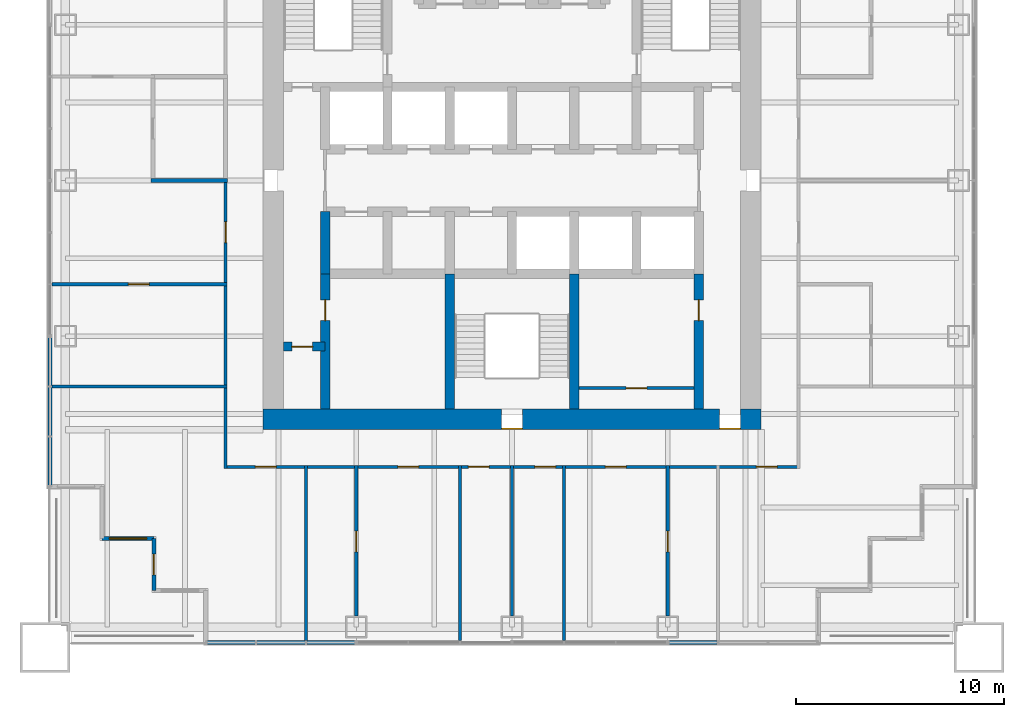
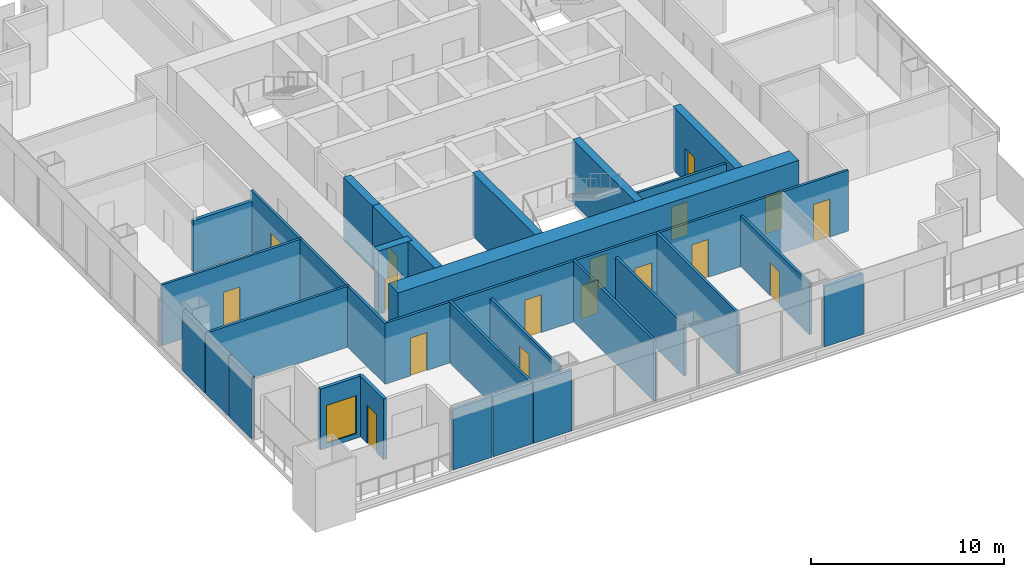
# One storey, part 8 of 13: 28 walls, 17 doors, 1 window, 18 openings.
"""IFC4 building model written with IfcOpenShell, lengths in metres."""

from ifc_helpers import new_model, si_unit, direction, frame, frame_2d, origin, place, context, subcontext, project, spatial, rectangle, extrude, material, layer, layer_set, type_object, element, fill, save


model = new_model("IFC4")

# Units and contexts
model_context = context("Model", 3, precision=1e-05, world=origin(), true_north=direction((0.0, 1.0)))
body_context = subcontext(model_context, "Body", "Model", "MODEL_VIEW")
ifc_project = project(units=[si_unit("LENGTHUNIT", "METRE"), si_unit("AREAUNIT", "SQUARE_METRE"), si_unit("VOLUMEUNIT", "CUBIC_METRE"), si_unit("PLANEANGLEUNIT", "RADIAN"), si_unit("MASSUNIT", "GRAM", prefix="KILO")], contexts=[model_context])

# Site, building, storey
site_placement = place(None, origin())
site = spatial("IfcSite", under=ifc_project, at=site_placement, CompositionType="ELEMENT")
building_placement = place(site_placement, origin())
building = spatial("IfcBuilding", under=site, at=building_placement, Name="Tarangal Relay Tower", CompositionType="ELEMENT")
storey_placement = place(building_placement, frame((0.0, 0.0, 185.89990234375)))
storey = spatial("IfcBuildingStorey", under=building, at=storey_placement, Name="L38", CompositionType="ELEMENT", Elevation=185.89990234375)

# Wall
ifc_material_1 = material(Name="Two layers gypsum board each side on twin steel studs, mineral wool", Category="steel")
ifc_layer_1 = layer(ifc_material_1, 0.199951171875)
ifc_layer_set_1 = layer_set([ifc_layer_1], Name="Acoustic partition 200")
wall_type_1 = type_object("IfcWallType", Name="Acoustic partition 200", PredefinedType="PARTITIONING", material=ifc_layer_set_1)
wall_1_placement = place(storey_placement, frame((-17.39990234375, 0.0, 0.0), z_axis=(0.0, 0.0, 1.0), x_axis=(1.0, 0.0, 0.0)))
element("IfcWall", 1, at=wall_1_placement, inside=storey, type_object=wall_type_1, Name="Partition PT2 L38", PredefinedType="PARTITIONING", context=body_context, shape_type="SweptSolid", body=[
    extrude(rectangle(XDim=3.699951171875, YDim=0.199951171875, at=frame_2d((1.85009765625, 0.0))), origin(), (0.0, 0.0, 1.0), 3.238037109375),
])

# Wall, opening, door
ifc_material_2 = material(Name="Concrete fc' 60 MPa", Category="concrete")
ifc_layer_2 = layer(ifc_material_2, 0.449951171875)
ifc_layer_set_2 = layer_set([ifc_layer_2], Name="Core inner wall 450")
wall_type_2 = type_object("IfcWallType", Name="Core inner wall 450", PredefinedType="SHEAR", material=ifc_layer_set_2)
wall_2_placement = place(storey_placement, frame((-11.0, -8.0, 0.0), z_axis=(0.0, 0.0, 1.0), x_axis=(1.0, 0.0, 0.0)))
wall_2 = element("IfcWall", 2, at=wall_2_placement, inside=storey, type_object=wall_type_2, Name="Core wall YM8 L38", PredefinedType="SHEAR", context=body_context, shape_type="SweptSolid", body=[
    extrude(rectangle(XDim=2.0, YDim=0.449951171875, at=frame_2d((1.0, 0.0))), origin(), (0.0, 0.0, 1.0), 4.0),
])
opening_1_placement = place(wall_2_placement, frame((0.39990234375, 0.0, 0.0)))
opening_1 = element("IfcOpeningElement", 3, at=opening_1_placement, cuts=wall_2, Name="Opening D1", PredefinedType="OPENING", context=body_context, shape_type="SweptSolid", body=[
    extrude(rectangle(XDim=1.0, YDim=2.10009765625, at=frame_2d((0.5, 1.050048828125))), frame((0.0, 0.23486328125, 0.0), z_axis=(0.0, -1.0, 0.0), x_axis=(1.0, 0.0, 0.0)), (0.0, 0.0, 1.0), 0.469970703125),
])
ifc_material_3 = material(Name="Hardwood door", Category="wood")
door_type_1 = type_object("IfcDoorType", Name="WC door 1000 x 2100", OperationType="SINGLE_SWING_LEFT", PredefinedType="DOOR", material=ifc_material_3)
door_1_placement = place(opening_1_placement, origin())
door_1 = element("IfcDoor", 4, at=door_1_placement, inside=storey, type_object=door_type_1, Name="Accessible WC door L38", OperationType="SINGLE_SWING_LEFT", OverallHeight=2.10009765625, OverallWidth=1.0, PredefinedType="DOOR", context=body_context, shape_type="SweptSolid", body=[
    extrude(rectangle(XDim=1.0, YDim=2.10009765625, at=frame_2d((0.5, 1.050048828125))), frame((0.0, 0.02490234375, 0.0), z_axis=(0.0, -1.0, 0.0), x_axis=(1.0, 0.0, 0.0)), (0.0, 0.0, 1.0), 0.050048828125),
])
fill(opening_1, door_1)

# Wall
wall_3_placement = place(storey_placement, frame((-9.0, -4.5, 0.0), z_axis=(0.0, 0.0, 1.0), x_axis=(0.0, 1.0, 0.0)))
element("IfcWall", 5, at=wall_3_placement, inside=storey, type_object=wall_type_2, Name="Core wall XM9S L38", PredefinedType="SHEAR", context=body_context, shape_type="SweptSolid", body=[
    extrude(rectangle(XDim=3.0, YDim=0.449951171875, at=frame_2d((1.5, 0.0))), origin(), (0.0, 0.0, 1.0), 4.0),
])

# Wall, opening, door
wall_4_placement = place(storey_placement, frame((-9.0, -11.0, 0.0), z_axis=(0.0, 0.0, 1.0), x_axis=(0.0, 1.0, 0.0)))
wall_4 = element("IfcWall", 6, at=wall_4_placement, inside=storey, type_object=wall_type_2, Name="Core wall XM9W L38", PredefinedType="SHEAR", context=body_context, shape_type="SweptSolid", body=[
    extrude(rectangle(XDim=6.5, YDim=0.449951171875, at=frame_2d((3.25, 0.0))), origin(), (0.0, 0.0, 1.0), 4.0),
])
opening_2_placement = place(wall_4_placement, frame((4.25, 0.0, 0.0)))
opening_2 = element("IfcOpeningElement", 7, at=opening_2_placement, cuts=wall_4, Name="Opening D1", PredefinedType="OPENING", context=body_context, shape_type="SweptSolid", body=[
    extrude(rectangle(XDim=1.0, YDim=2.10009765625, at=frame_2d((0.5, 1.050048828125))), frame((0.0, 0.23486328125, 0.0), z_axis=(0.0, -1.0, 0.0), x_axis=(1.0, 0.0, 0.0)), (0.0, 0.0, 1.0), 0.469970703125),
])
door_2_placement = place(opening_2_placement, origin())
door_2 = element("IfcDoor", 8, at=door_2_placement, inside=storey, type_object=door_type_1, Name="Male WC door L38", OperationType="SINGLE_SWING_LEFT", OverallHeight=2.10009765625, OverallWidth=1.0, PredefinedType="DOOR", context=body_context, shape_type="SweptSolid", body=[
    extrude(rectangle(XDim=1.0, YDim=2.10009765625, at=frame_2d((0.5, 1.050048828125))), frame((0.0, 0.02490234375, 0.0), z_axis=(0.0, -1.0, 0.0), x_axis=(1.0, 0.0, 0.0)), (0.0, 0.0, 1.0), 0.050048828125),
])
fill(opening_2, door_2)

wall_5_placement = place(storey_placement, frame((9.0, -11.0, 0.0), z_axis=(0.0, 0.0, 1.0), x_axis=(0.0, 1.0, 0.0)))
wall_5 = element("IfcWall", 9, at=wall_5_placement, inside=storey, type_object=wall_type_2, Name="Core wall X9W L38", PredefinedType="SHEAR", context=body_context, shape_type="SweptSolid", body=[
    extrude(rectangle(XDim=6.5, YDim=0.449951171875, at=frame_2d((3.25, 0.0))), origin(), (0.0, 0.0, 1.0), 4.0),
])
opening_3_placement = place(wall_5_placement, frame((4.25, 0.0, 0.0)))
opening_3 = element("IfcOpeningElement", 10, at=opening_3_placement, cuts=wall_5, Name="Opening D1", PredefinedType="OPENING", context=body_context, shape_type="SweptSolid", body=[
    extrude(rectangle(XDim=1.0, YDim=2.10009765625, at=frame_2d((0.5, 1.050048828125))), frame((0.0, 0.23486328125, 0.0), z_axis=(0.0, -1.0, 0.0), x_axis=(1.0, 0.0, 0.0)), (0.0, 0.0, 1.0), 0.469970703125),
])
door_3_placement = place(opening_3_placement, origin())
door_3 = element("IfcDoor", 11, at=door_3_placement, inside=storey, type_object=door_type_1, Name="Female WC door L38", OperationType="SINGLE_SWING_LEFT", OverallHeight=2.10009765625, OverallWidth=1.0, PredefinedType="DOOR", context=body_context, shape_type="SweptSolid", body=[
    extrude(rectangle(XDim=1.0, YDim=2.10009765625, at=frame_2d((0.5, 1.050048828125))), frame((0.0, 0.02490234375, 0.0), z_axis=(0.0, -1.0, 0.0), x_axis=(1.0, 0.0, 0.0)), (0.0, 0.0, 1.0), 0.050048828125),
])
fill(opening_3, door_3)

# Walls
for number, where, z_axis, x_axis, name in (
    (12, (-3.0, -11.0, 0.0), (0.0, 0.0, 1.0), (0.0, 1.0, 0.0), "Core wall XM3W L38"),
    (13, (3.0, -11.0, 0.0), (0.0, 0.0, 1.0), (0.0, 1.0, 0.0), "Core wall X3W L38"),
):
    element("IfcWall", number, at=place(storey_placement, frame(where, z_axis=z_axis, x_axis=x_axis)), inside=storey, type_object=wall_type_2, Name=name, PredefinedType="SHEAR", context=body_context, shape_type="SweptSolid", body=[
        extrude(rectangle(XDim=6.5, YDim=0.449951171875, at=frame_2d((3.25, 0.0))), origin(), (0.0, 0.0, 1.0), 4.0),
    ])

# Wall, openings, doors
ifc_layer_3 = layer(ifc_material_2, 1.0)
ifc_layer_set_3 = layer_set([ifc_layer_3], Name="Core wall 1000")
wall_type_3 = type_object("IfcWallType", Name="Core wall 1000", PredefinedType="SHEAR", material=ifc_layer_set_3)
wall_6_placement = place(storey_placement, frame((12.0, -11.5, 0.0), z_axis=(0.0, 0.0, 1.0), x_axis=(-1.0, 0.0, 0.0)))
wall_6 = element("IfcWall", 14, at=wall_6_placement, inside=storey, type_object=wall_type_3, Name="Core wall S L38", PredefinedType="SHEAR", context=body_context, shape_type="SweptSolid", body=[
    extrude(rectangle(XDim=24.0, YDim=1.0, at=frame_2d((12.0, 0.0))), origin(), (0.0, 0.0, 1.0), 4.0),
])
opening_4_placement = place(wall_6_placement, frame((11.5, 0.0, 0.0)))
opening_4 = element("IfcOpeningElement", 15, at=opening_4_placement, cuts=wall_6, Name="Opening FD1", PredefinedType="OPENING", context=body_context, shape_type="SweptSolid", body=[
    extrude(rectangle(XDim=1.0, YDim=2.10009765625, at=frame_2d((0.5, 1.050048828125))), frame((0.0, 0.510009765625, 0.0), z_axis=(0.0, -1.0, 0.0), x_axis=(1.0, 0.0, 0.0)), (0.0, 0.0, 1.0), 1.02001953125),
])
opening_5_placement = place(wall_6_placement, frame((1.0, 0.0, 0.0)))
opening_5 = element("IfcOpeningElement", 16, at=opening_5_placement, cuts=wall_6, Name="Opening FD3", PredefinedType="OPENING", context=body_context, shape_type="SweptSolid", body=[
    extrude(rectangle(XDim=1.0, YDim=2.39990234375, at=frame_2d((0.5, 1.199951171875))), frame((0.0, 0.510009765625, 0.0), z_axis=(0.0, -1.0, 0.0), x_axis=(1.0, 0.0, 0.0)), (0.0, 0.0, 1.0), 1.02001953125),
])
ifc_material_4 = material(Name="Steel door with hardwood frame", Category="steel")
door_type_2 = type_object("IfcDoorType", Name="Fire door 1000 x 2100", OperationType="SINGLE_SWING_LEFT", PredefinedType="DOOR", material=ifc_material_4)
door_4_placement = place(opening_4_placement, origin())
door_4 = element("IfcDoor", 17, at=door_4_placement, inside=storey, type_object=door_type_2, Name="Stair ST-C door L38", OperationType="SINGLE_SWING_LEFT", OverallHeight=2.10009765625, OverallWidth=1.0, PredefinedType="DOOR", context=body_context, shape_type="SweptSolid", body=[
    extrude(rectangle(XDim=1.0, YDim=2.10009765625, at=frame_2d((0.5, 1.050048828125))), frame((0.0, 0.48486328125, 0.0), z_axis=(0.0, -1.0, 0.0), x_axis=(1.0, 0.0, 0.0)), (0.0, 0.0, 1.0), 0.050048828125),
])
fill(opening_4, door_4)
door_type_3 = type_object("IfcDoorType", Name="Fire door 1000 x 2400 core entry", OperationType="SINGLE_SWING_RIGHT", PredefinedType="DOOR", material=ifc_material_4)
door_5_placement = place(opening_5_placement, origin())
door_5 = element("IfcDoor", 18, at=door_5_placement, inside=storey, type_object=door_type_3, Name="Core entry door south east L38", OperationType="SINGLE_SWING_RIGHT", OverallHeight=2.39990234375, OverallWidth=1.0, PredefinedType="DOOR", context=body_context, shape_type="SweptSolid", body=[
    extrude(rectangle(XDim=1.0, YDim=2.39990234375, at=frame_2d((0.5, 1.199951171875))), frame((0.0, 0.48486328125, 0.0), z_axis=(0.0, -1.0, 0.0), x_axis=(1.0, 0.0, 0.0)), (0.0, 0.0, 1.0), 0.050048828125),
])
fill(opening_5, door_5)

# Wall, opening, door
ifc_material_5 = material(Name="Black metal clad insulated wall", Category="steel")
ifc_layer_4 = layer(ifc_material_5, 0.199951171875)
ifc_layer_set_4 = layer_set([ifc_layer_4], Name="Corner wall metal clad 200")
wall_type_4 = type_object("IfcWallType", Name="Corner wall metal clad 200", PredefinedType="SOLIDWALL", material=ifc_layer_set_4)
wall_7_placement = place(storey_placement, frame((-17.25, -19.75, 0.0), z_axis=(0.0, 0.0, 1.0), x_axis=(0.0, 1.0, 0.0)))
wall_7 = element("IfcWall", 19, at=wall_7_placement, inside=storey, type_object=wall_type_4, Name="Facade wall S facade L38", PredefinedType="SOLIDWALL", context=body_context, shape_type="SweptSolid", body=[
    extrude(rectangle(XDim=2.5, YDim=0.199951171875, at=frame_2d((1.25, 0.0))), origin(), (0.0, 0.0, 1.0), 3.85009765625),
])
opening_6_placement = place(wall_7_placement, frame((0.75, 0.0, 0.0)))
opening_6 = element("IfcOpeningElement", 20, at=opening_6_placement, cuts=wall_7, Name="Opening TD1", PredefinedType="OPENING", context=body_context, shape_type="SweptSolid", body=[
    extrude(rectangle(XDim=1.0, YDim=2.39990234375, at=frame_2d((0.5, 1.199951171875))), frame((0.0, 0.10986328125, 0.0), z_axis=(0.0, -1.0, 0.0), x_axis=(1.0, 0.0, 0.0)), (0.0, 0.0, 1.0), 0.219970703125),
])
ifc_material_6 = material(Name="Aluminium glazed door", Category="aluminium")
door_type_4 = type_object("IfcDoorType", Name="Terrace door 1000 x 2400", OperationType="SINGLE_SWING_RIGHT", PredefinedType="DOOR", material=ifc_material_6)
door_6_placement = place(opening_6_placement, origin())
door_6 = element("IfcDoor", 21, at=door_6_placement, inside=storey, type_object=door_type_4, Name="Terrace door TD1 SW L38", OperationType="SINGLE_SWING_RIGHT", OverallHeight=2.39990234375, OverallWidth=1.0, PredefinedType="DOOR", context=body_context, shape_type="SweptSolid", body=[
    extrude(rectangle(XDim=1.0, YDim=2.39990234375, at=frame_2d((0.5, 1.199951171875))), frame((0.0, 0.02490234375, 0.0), z_axis=(0.0, -1.0, 0.0), x_axis=(1.0, 0.0, 0.0)), (0.0, 0.0, 1.0), 0.050048828125),
])
fill(opening_6, door_6)

# Wall, opening, window
wall_8_placement = place(storey_placement, frame((-17.25, -17.25, 0.0), z_axis=(0.0, 0.0, 1.0), x_axis=(-1.0, 0.0, 0.0)))
wall_8 = element("IfcWall", 22, at=wall_8_placement, inside=storey, type_object=wall_type_4, Name="Facade wall S facade L38", PredefinedType="SOLIDWALL", context=body_context, shape_type="SweptSolid", body=[
    extrude(rectangle(XDim=2.5, YDim=0.199951171875, at=frame_2d((1.25, 0.0))), origin(), (0.0, 0.0, 1.0), 3.85009765625),
])
opening_7_placement = place(wall_8_placement, frame((0.35009765625, 0.0, 0.300048828125)))
opening_7 = element("IfcOpeningElement", 23, at=opening_7_placement, cuts=wall_8, Name="Opening WN2", PredefinedType="OPENING", context=body_context, shape_type="SweptSolid", body=[
    extrude(rectangle(XDim=1.800048828125, YDim=2.39990234375, at=frame_2d((0.89990234375, 1.199951171875))), frame((0.0, 0.10986328125, 0.0), z_axis=(0.0, -1.0, 0.0), x_axis=(1.0, 0.0, 0.0)), (0.0, 0.0, 1.0), 0.219970703125),
])
ifc_material_7 = material(Name="Dark tinted double glazing in black aluminium frame", Category="aluminium")
window_type = type_object("IfcWindowType", Name="Corner window 1800 x 2400", PartitioningType="SINGLE_PANEL", PredefinedType="WINDOW", material=ifc_material_7)
window_placement = place(opening_7_placement, origin())
window = element("IfcWindow", 24, at=window_placement, inside=storey, type_object=window_type, Name="Corner window WN2 S facade L38", OverallHeight=2.39990234375, OverallWidth=1.800048828125, PartitioningType="SINGLE_PANEL", PredefinedType="WINDOW", context=body_context, shape_type="SweptSolid", body=[
    extrude(rectangle(XDim=1.800048828125, YDim=2.39990234375, at=frame_2d((0.89990234375, 1.199951171875))), frame((0.0, 0.030029296875, 0.0), z_axis=(0.0, -1.0, 0.0), x_axis=(1.0, 0.0, 0.0)), (0.0, 0.0, 1.0), 0.06005859375),
])
fill(opening_7, window)

# Walls
ifc_layer_5 = layer(ifc_material_5, 0.199951171875)
ifc_layer_set_5 = layer_set([ifc_layer_5], Name="Facade infill wall metal clad 200")
wall_type_5 = type_object("IfcWallType", Name="Facade infill wall metal clad 200", PredefinedType="SOLIDWALL", material=ifc_layer_set_5)
for number, where, z_axis, x_axis, name in (
    (25, (9.88427734375, -22.25, 0.0), (0.0, 0.0, 1.0), (-1.0, 0.0, 0.0), "Facade infill wall S facade L38 3.1"),
    (26, (-7.56494140625, -22.25, 0.0), (0.0, 0.0, 1.0), (-1.0, 0.0, 0.0), "Facade infill wall S facade L38 1.1"),
):
    element("IfcWall", number, at=place(storey_placement, frame(where, z_axis=z_axis, x_axis=x_axis)), inside=storey, type_object=wall_type_5, Name=name, PredefinedType="SOLIDWALL", context=body_context, shape_type="SweptSolid", body=[
        extrude(rectangle(XDim=2.3193359375, YDim=0.199951171875, at=frame_2d((1.15966796875, 0.0))), origin(), (0.0, 0.0, 1.0), 3.85009765625),
    ])
wall_9_placement = place(storey_placement, frame((-9.94921875, -22.25, 0.0), z_axis=(0.0, 0.0, 1.0), x_axis=(-1.0, 0.0, 0.0)))
element("IfcWall", 27, at=wall_9_placement, inside=storey, type_object=wall_type_5, Name="Facade infill wall S facade L38 2.1", PredefinedType="SOLIDWALL", context=body_context, shape_type="SweptSolid", body=[
    extrude(rectangle(XDim=2.3515625, YDim=0.199951171875, at=frame_2d((1.17578125, 0.0))), origin(), (0.0, 0.0, 1.0), 3.85009765625),
])
for number, where, z_axis, x_axis, name in (
    (28, (-12.36572265625, -22.25, 0.0), (0.0, 0.0, 1.0), (-1.0, 0.0, 0.0), "Facade infill wall S facade L38 3.1"),
    (29, (-22.25, -14.68505859375, 0.0), (0.0, 0.0, 1.0), (0.0, 1.0, 0.0), "Facade infill wall W facade L38 1.1"),
):
    element("IfcWall", number, at=place(storey_placement, frame(where, z_axis=z_axis, x_axis=x_axis)), inside=storey, type_object=wall_type_5, Name=name, PredefinedType="SOLIDWALL", context=body_context, shape_type="SweptSolid", body=[
        extrude(rectangle(XDim=2.3193359375, YDim=0.199951171875, at=frame_2d((1.15966796875, 0.0))), origin(), (0.0, 0.0, 1.0), 3.85009765625),
    ])
wall_10_placement = place(storey_placement, frame((-22.25, -12.30078125, 0.0), z_axis=(0.0, 0.0, 1.0), x_axis=(0.0, 1.0, 0.0)))
element("IfcWall", 30, at=wall_10_placement, inside=storey, type_object=wall_type_5, Name="Facade infill wall W facade L38 2.1", PredefinedType="SOLIDWALL", context=body_context, shape_type="SweptSolid", body=[
    extrude(rectangle(XDim=2.3515625, YDim=0.199951171875, at=frame_2d((1.17578125, 0.0))), origin(), (0.0, 0.0, 1.0), 3.85009765625),
])
wall_11_placement = place(storey_placement, frame((-22.25, -9.88427734375, 0.0), z_axis=(0.0, 0.0, 1.0), x_axis=(0.0, 1.0, 0.0)))
element("IfcWall", 31, at=wall_11_placement, inside=storey, type_object=wall_type_5, Name="Facade infill wall W facade L38 3.1", PredefinedType="SOLIDWALL", context=body_context, shape_type="SweptSolid", body=[
    extrude(rectangle(XDim=2.3193359375, YDim=0.199951171875, at=frame_2d((1.15966796875, 0.0))), origin(), (0.0, 0.0, 1.0), 3.85009765625),
])

# Wall, openings, doors
ifc_material_8 = material(Name="Gypsum board on steel studs", Category="steel")
ifc_layer_6 = layer(ifc_material_8, 0.14990234375)
ifc_layer_set_6 = layer_set([ifc_layer_6], Name="Partition 150")
wall_type_6 = type_object("IfcWallType", Name="Partition 150", PredefinedType="PARTITIONING", material=ifc_layer_set_6)
wall_12_placement = place(storey_placement, frame((-13.875, -13.800048828125, 0.0), z_axis=(0.0, 0.0, 1.0), x_axis=(1.0, 0.0, 0.0)))
wall_12 = element("IfcWall", 32, at=wall_12_placement, inside=storey, type_object=wall_type_6, Name="Partition PT1 L38", PredefinedType="PARTITIONING", context=body_context, shape_type="SweptSolid", body=[
    extrude(rectangle(XDim=27.75, YDim=0.14990234375, at=frame_2d((13.875, 0.0))), origin(), (0.0, 0.0, 1.0), 3.85009765625),
])
opening_8_placement = place(wall_12_placement, frame((18.375, 0.0, 0.0)))
opening_8 = element("IfcOpeningElement", 33, at=opening_8_placement, cuts=wall_12, Name="Opening SD1", PredefinedType="OPENING", context=body_context, shape_type="SweptSolid", body=[
    extrude(rectangle(XDim=1.0, YDim=2.39990234375, at=frame_2d((0.5, 1.199951171875))), frame((0.0, 0.0849609375, 0.0), z_axis=(0.0, -1.0, 0.0), x_axis=(1.0, 0.0, 0.0)), (0.0, 0.0, 1.0), 0.169921875),
])
opening_9_placement = place(wall_12_placement, frame((14.97509765625, 0.0, 0.0)))
opening_9 = element("IfcOpeningElement", 34, at=opening_9_placement, cuts=wall_12, Name="Opening D2", PredefinedType="OPENING", context=body_context, shape_type="SweptSolid", body=[
    extrude(rectangle(XDim=1.0, YDim=2.10009765625, at=frame_2d((0.5, 1.050048828125))), frame((0.0, 0.0849609375, 0.0), z_axis=(0.0, -1.0, 0.0), x_axis=(1.0, 0.0, 0.0)), (0.0, 0.0, 1.0), 0.169921875),
])
opening_10_placement = place(wall_12_placement, frame((11.77490234375, 0.0, 0.0)))
opening_10 = element("IfcOpeningElement", 35, at=opening_10_placement, cuts=wall_12, Name="Opening D2", PredefinedType="OPENING", context=body_context, shape_type="SweptSolid", body=[
    extrude(rectangle(XDim=1.0, YDim=2.10009765625, at=frame_2d((0.5, 1.050048828125))), frame((0.0, 0.0849609375, 0.0), z_axis=(0.0, -1.0, 0.0), x_axis=(1.0, 0.0, 0.0)), (0.0, 0.0, 1.0), 0.169921875),
])
opening_11_placement = place(wall_12_placement, frame((8.375, 0.0, 0.0)))
opening_11 = element("IfcOpeningElement", 36, at=opening_11_placement, cuts=wall_12, Name="Opening SD1", PredefinedType="OPENING", context=body_context, shape_type="SweptSolid", body=[
    extrude(rectangle(XDim=1.0, YDim=2.39990234375, at=frame_2d((0.5, 1.199951171875))), frame((0.0, 0.0849609375, 0.0), z_axis=(0.0, -1.0, 0.0), x_axis=(1.0, 0.0, 0.0)), (0.0, 0.0, 1.0), 0.169921875),
])
opening_12_placement = place(wall_12_placement, frame((25.650146484375, 0.0, 0.0)))
opening_12 = element("IfcOpeningElement", 37, at=opening_12_placement, cuts=wall_12, Name="Opening SD1", PredefinedType="OPENING", context=body_context, shape_type="SweptSolid", body=[
    extrude(rectangle(XDim=1.0, YDim=2.39990234375, at=frame_2d((0.5, 1.199951171875))), frame((0.0, 0.0849609375, 0.0), z_axis=(0.0, -1.0, 0.0), x_axis=(1.0, 0.0, 0.0)), (0.0, 0.0, 1.0), 0.169921875),
])
opening_13_placement = place(wall_12_placement, frame((1.5166015625, 0.0, 0.0)))
opening_13 = element("IfcOpeningElement", 38, at=opening_13_placement, cuts=wall_12, Name="Opening SD1", PredefinedType="OPENING", context=body_context, shape_type="SweptSolid", body=[
    extrude(rectangle(XDim=1.0, YDim=2.39990234375, at=frame_2d((0.5, 1.199951171875))), frame((0.0, 0.0849609375, 0.0), z_axis=(0.0, -1.0, 0.0), x_axis=(1.0, 0.0, 0.0)), (0.0, 0.0, 1.0), 0.169921875),
])
door_type_5 = type_object("IfcDoorType", Name="Door 1000 x 2100", OperationType="SINGLE_SWING_LEFT", PredefinedType="DOOR", material=ifc_material_3)
door_7_placement = place(opening_9_placement, origin())
door_7 = element("IfcDoor", 39, at=door_7_placement, inside=storey, type_object=door_type_5, Name="Door D2 to tea pantry L38-14", OperationType="SINGLE_SWING_LEFT", OverallHeight=2.10009765625, OverallWidth=1.0, PredefinedType="DOOR", context=body_context, shape_type="SweptSolid", body=[
    extrude(rectangle(XDim=1.0, YDim=2.10009765625, at=frame_2d((0.5, 1.050048828125))), frame((0.0, 0.02490234375, 0.0), z_axis=(0.0, -1.0, 0.0), x_axis=(1.0, 0.0, 0.0)), (0.0, 0.0, 1.0), 0.050048828125),
])
fill(opening_9, door_7)
door_8_placement = place(opening_10_placement, origin())
door_8 = element("IfcDoor", 40, at=door_8_placement, inside=storey, type_object=door_type_5, Name="Door D2 to print room L38-15", OperationType="SINGLE_SWING_LEFT", OverallHeight=2.10009765625, OverallWidth=1.0, PredefinedType="DOOR", context=body_context, shape_type="SweptSolid", body=[
    extrude(rectangle(XDim=1.0, YDim=2.10009765625, at=frame_2d((0.5, 1.050048828125))), frame((0.0, 0.02490234375, 0.0), z_axis=(0.0, -1.0, 0.0), x_axis=(1.0, 0.0, 0.0)), (0.0, 0.0, 1.0), 0.050048828125),
])
fill(opening_10, door_8)
door_type_6 = type_object("IfcDoorType", Name="Suite entrance door 1000 x 2400", OperationType="SINGLE_SWING_RIGHT", PredefinedType="DOOR", material=ifc_material_4)
door_9_placement = place(opening_8_placement, origin())
door_9 = element("IfcDoor", 41, at=door_9_placement, inside=storey, type_object=door_type_6, Name="Door SD1 to open plan office L38-13", OperationType="SINGLE_SWING_RIGHT", OverallHeight=2.39990234375, OverallWidth=1.0, PredefinedType="DOOR", context=body_context, shape_type="SweptSolid", body=[
    extrude(rectangle(XDim=1.0, YDim=2.39990234375, at=frame_2d((0.5, 1.199951171875))), frame((0.0, 0.02490234375, 0.0), z_axis=(0.0, -1.0, 0.0), x_axis=(1.0, 0.0, 0.0)), (0.0, 0.0, 1.0), 0.050048828125),
])
fill(opening_8, door_9)
door_10_placement = place(opening_11_placement, origin())
door_10 = element("IfcDoor", 42, at=door_10_placement, inside=storey, type_object=door_type_6, Name="Door SD1 to open plan office L38-16", OperationType="SINGLE_SWING_RIGHT", OverallHeight=2.39990234375, OverallWidth=1.0, PredefinedType="DOOR", context=body_context, shape_type="SweptSolid", body=[
    extrude(rectangle(XDim=1.0, YDim=2.39990234375, at=frame_2d((0.5, 1.199951171875))), frame((0.0, 0.02490234375, 0.0), z_axis=(0.0, -1.0, 0.0), x_axis=(1.0, 0.0, 0.0)), (0.0, 0.0, 1.0), 0.050048828125),
])
fill(opening_11, door_10)
door_11_placement = place(opening_12_placement, origin())
door_11 = element("IfcDoor", 43, at=door_11_placement, inside=storey, type_object=door_type_6, Name="Door SD1 to open plan office L38-23", OperationType="SINGLE_SWING_RIGHT", OverallHeight=2.39990234375, OverallWidth=1.0, PredefinedType="DOOR", context=body_context, shape_type="SweptSolid", body=[
    extrude(rectangle(XDim=1.0, YDim=2.39990234375, at=frame_2d((0.5, 1.199951171875))), frame((0.0, 0.02490234375, 0.0), z_axis=(0.0, -1.0, 0.0), x_axis=(1.0, 0.0, 0.0)), (0.0, 0.0, 1.0), 0.050048828125),
])
fill(opening_12, door_11)
door_12_placement = place(opening_13_placement, origin())
door_12 = element("IfcDoor", 44, at=door_12_placement, inside=storey, type_object=door_type_6, Name="Door SD1 to open plan office L38-24", OperationType="SINGLE_SWING_RIGHT", OverallHeight=2.39990234375, OverallWidth=1.0, PredefinedType="DOOR", context=body_context, shape_type="SweptSolid", body=[
    extrude(rectangle(XDim=1.0, YDim=2.39990234375, at=frame_2d((0.5, 1.199951171875))), frame((0.0, 0.02490234375, 0.0), z_axis=(0.0, -1.0, 0.0), x_axis=(1.0, 0.0, 0.0)), (0.0, 0.0, 1.0), 0.050048828125),
])
fill(opening_13, door_12)

# Wall
wall_13_placement = place(storey_placement, frame((-22.14990234375, -9.9169921875, 0.0), z_axis=(0.0, 0.0, 1.0), x_axis=(1.0, 0.0, 0.0)))
element("IfcWall", 45, at=wall_13_placement, inside=storey, type_object=wall_type_6, Name="Partition PT1 L38", PredefinedType="PARTITIONING", context=body_context, shape_type="SweptSolid", body=[
    extrude(rectangle(XDim=8.4248046875, YDim=0.14990234375, at=frame_2d((4.21240234375, 0.0))), origin(), (0.0, 0.0, 1.0), 3.85009765625),
])

# Wall, opening, door
wall_14_placement = place(storey_placement, frame((-22.14990234375, -5.0, 0.0), z_axis=(0.0, 0.0, 1.0), x_axis=(1.0, 0.0, 0.0)))
wall_14 = element("IfcWall", 46, at=wall_14_placement, inside=storey, type_object=wall_type_6, Name="Partition PT1 L38", PredefinedType="PARTITIONING", context=body_context, shape_type="SweptSolid", body=[
    extrude(rectangle(XDim=8.4248046875, YDim=0.14990234375, at=frame_2d((4.21240234375, 0.0))), origin(), (0.0, 0.0, 1.0), 3.85009765625),
])
opening_14_placement = place(wall_14_placement, frame((3.675048828125, 0.0, 0.0)))
opening_14 = element("IfcOpeningElement", 47, at=opening_14_placement, cuts=wall_14, Name="Opening D2", PredefinedType="OPENING", context=body_context, shape_type="SweptSolid", body=[
    extrude(rectangle(XDim=1.0, YDim=2.10009765625, at=frame_2d((0.5, 1.050048828125))), frame((0.0, 0.0849609375, 0.0), z_axis=(0.0, -1.0, 0.0), x_axis=(1.0, 0.0, 0.0)), (0.0, 0.0, 1.0), 0.169921875),
])
door_13_placement = place(opening_14_placement, origin())
door_13 = element("IfcDoor", 48, at=door_13_placement, inside=storey, type_object=door_type_5, Name="Door D2 to cellular office L38-18", OperationType="SINGLE_SWING_LEFT", OverallHeight=2.10009765625, OverallWidth=1.0, PredefinedType="DOOR", context=body_context, shape_type="SweptSolid", body=[
    extrude(rectangle(XDim=1.0, YDim=2.10009765625, at=frame_2d((0.5, 1.050048828125))), frame((0.0, 0.02490234375, 0.0), z_axis=(0.0, -1.0, 0.0), x_axis=(1.0, 0.0, 0.0)), (0.0, 0.0, 1.0), 0.050048828125),
])
fill(opening_14, door_13)

wall_15_placement = place(storey_placement, frame((-13.800048828125, -13.875, 0.0), z_axis=(0.0, 0.0, 1.0), x_axis=(0.0, 1.0, 0.0)))
wall_15 = element("IfcWall", 49, at=wall_15_placement, inside=storey, type_object=wall_type_6, Name="Partition PT1 L38", PredefinedType="PARTITIONING", context=body_context, shape_type="SweptSolid", body=[
    extrude(rectangle(XDim=13.949951171875, YDim=0.14990234375, at=frame_2d((6.97509765625, 0.0))), origin(), (0.0, 0.0, 1.0), 3.85009765625),
])
opening_15_placement = place(wall_15_placement, frame((10.875, 0.0, 0.0)))
opening_15 = element("IfcOpeningElement", 50, at=opening_15_placement, cuts=wall_15, Name="Opening SD1", PredefinedType="OPENING", context=body_context, shape_type="SweptSolid", body=[
    extrude(rectangle(XDim=1.0, YDim=2.39990234375, at=frame_2d((0.5, 1.199951171875))), frame((0.0, 0.0849609375, 0.0), z_axis=(0.0, -1.0, 0.0), x_axis=(1.0, 0.0, 0.0)), (0.0, 0.0, 1.0), 0.169921875),
])
door_14_placement = place(opening_15_placement, origin())
door_14 = element("IfcDoor", 51, at=door_14_placement, inside=storey, type_object=door_type_6, Name="Door SD1 to open plan office L38-19", OperationType="SINGLE_SWING_RIGHT", OverallHeight=2.39990234375, OverallWidth=1.0, PredefinedType="DOOR", context=body_context, shape_type="SweptSolid", body=[
    extrude(rectangle(XDim=1.0, YDim=2.39990234375, at=frame_2d((0.5, 1.199951171875))), frame((0.0, 0.02490234375, 0.0), z_axis=(0.0, -1.0, 0.0), x_axis=(1.0, 0.0, 0.0)), (0.0, 0.0, 1.0), 0.050048828125),
])
fill(opening_15, door_14)

# Wall
wall_16_placement = place(storey_placement, frame((-9.9169921875, -22.14990234375, 0.0), z_axis=(0.0, 0.0, 1.0), x_axis=(0.0, 1.0, 0.0)))
element("IfcWall", 52, at=wall_16_placement, inside=storey, type_object=wall_type_6, Name="Partition PT1 L38", PredefinedType="PARTITIONING", context=body_context, shape_type="SweptSolid", body=[
    extrude(rectangle(XDim=8.4248046875, YDim=0.14990234375, at=frame_2d((4.21240234375, 0.0))), origin(), (0.0, 0.0, 1.0), 3.85009765625),
])

# Wall, opening, door
wall_17_placement = place(storey_placement, frame((-7.5, -20.989990234375, 0.0), z_axis=(0.0, 0.0, 1.0), x_axis=(0.0, 1.0, 0.0)))
wall_17 = element("IfcWall", 53, at=wall_17_placement, inside=storey, type_object=wall_type_6, Name="Partition PT1 L38", PredefinedType="PARTITIONING", context=body_context, shape_type="SweptSolid", body=[
    extrude(rectangle(XDim=7.264892578125, YDim=0.14990234375, at=frame_2d((3.63232421875, 0.0))), origin(), (0.0, 0.0, 1.0), 3.238037109375),
])
opening_16_placement = place(wall_17_placement, frame((3.094970703125, 0.0, 0.0)))
opening_16 = element("IfcOpeningElement", 54, at=opening_16_placement, cuts=wall_17, Name="Opening D2", PredefinedType="OPENING", context=body_context, shape_type="SweptSolid", body=[
    extrude(rectangle(XDim=1.0, YDim=2.10009765625, at=frame_2d((0.5, 1.050048828125))), frame((0.0, 0.0849609375, 0.0), z_axis=(0.0, -1.0, 0.0), x_axis=(1.0, 0.0, 0.0)), (0.0, 0.0, 1.0), 0.169921875),
])
door_15_placement = place(opening_16_placement, origin())
door_15 = element("IfcDoor", 55, at=door_15_placement, inside=storey, type_object=door_type_5, Name="Door D2 to cellular office L38-17", OperationType="SINGLE_SWING_LEFT", OverallHeight=2.10009765625, OverallWidth=1.0, PredefinedType="DOOR", context=body_context, shape_type="SweptSolid", body=[
    extrude(rectangle(XDim=1.0, YDim=2.10009765625, at=frame_2d((0.5, 1.050048828125))), frame((0.0, 0.02490234375, 0.0), z_axis=(0.0, -1.0, 0.0), x_axis=(1.0, 0.0, 0.0)), (0.0, 0.0, 1.0), 0.050048828125),
])
fill(opening_16, door_15)

# Walls
wall_18_placement = place(storey_placement, frame((-2.5, -22.14990234375, 0.0), z_axis=(0.0, 0.0, 1.0), x_axis=(0.0, 1.0, 0.0)))
element("IfcWall", 56, at=wall_18_placement, inside=storey, type_object=wall_type_6, Name="Partition PT1 L38", PredefinedType="PARTITIONING", context=body_context, shape_type="SweptSolid", body=[
    extrude(rectangle(XDim=8.4248046875, YDim=0.14990234375, at=frame_2d((4.21240234375, 0.0))), origin(), (0.0, 0.0, 1.0), 3.85009765625),
])
wall_19_placement = place(storey_placement, frame((0.0, -20.989990234375, 0.0), z_axis=(0.0, 0.0, 1.0), x_axis=(0.0, 1.0, 0.0)))
element("IfcWall", 57, at=wall_19_placement, inside=storey, type_object=wall_type_6, Name="Partition PT1 L38", PredefinedType="PARTITIONING", context=body_context, shape_type="SweptSolid", body=[
    extrude(rectangle(XDim=7.264892578125, YDim=0.14990234375, at=frame_2d((3.63232421875, 0.0))), origin(), (0.0, 0.0, 1.0), 3.238037109375),
])
wall_20_placement = place(storey_placement, frame((2.5, -22.14990234375, 0.0), z_axis=(0.0, 0.0, 1.0), x_axis=(0.0, 1.0, 0.0)))
element("IfcWall", 58, at=wall_20_placement, inside=storey, type_object=wall_type_6, Name="Partition PT1 L38", PredefinedType="PARTITIONING", context=body_context, shape_type="SweptSolid", body=[
    extrude(rectangle(XDim=8.4248046875, YDim=0.14990234375, at=frame_2d((4.21240234375, 0.0))), origin(), (0.0, 0.0, 1.0), 3.85009765625),
])

# Wall, opening, door
wall_21_placement = place(storey_placement, frame((7.5, -20.989990234375, 0.0), z_axis=(0.0, 0.0, 1.0), x_axis=(0.0, 1.0, 0.0)))
wall_21 = element("IfcWall", 59, at=wall_21_placement, inside=storey, type_object=wall_type_6, Name="Partition PT1 L38", PredefinedType="PARTITIONING", context=body_context, shape_type="SweptSolid", body=[
    extrude(rectangle(XDim=7.264892578125, YDim=0.14990234375, at=frame_2d((3.63232421875, 0.0))), origin(), (0.0, 0.0, 1.0), 3.238037109375),
])
opening_17_placement = place(wall_21_placement, frame((3.094970703125, 0.0, 0.0)))
opening_17 = element("IfcOpeningElement", 60, at=opening_17_placement, cuts=wall_21, Name="Opening D2", PredefinedType="OPENING", context=body_context, shape_type="SweptSolid", body=[
    extrude(rectangle(XDim=1.0, YDim=2.10009765625, at=frame_2d((0.5, 1.050048828125))), frame((0.0, 0.0849609375, 0.0), z_axis=(0.0, -1.0, 0.0), x_axis=(1.0, 0.0, 0.0)), (0.0, 0.0, 1.0), 0.169921875),
])
door_16_placement = place(opening_17_placement, origin())
door_16 = element("IfcDoor", 61, at=door_16_placement, inside=storey, type_object=door_type_5, Name="Door D2 to cellular office L38-12", OperationType="SINGLE_SWING_LEFT", OverallHeight=2.10009765625, OverallWidth=1.0, PredefinedType="DOOR", context=body_context, shape_type="SweptSolid", body=[
    extrude(rectangle(XDim=1.0, YDim=2.10009765625, at=frame_2d((0.5, 1.050048828125))), frame((0.0, 0.02490234375, 0.0), z_axis=(0.0, -1.0, 0.0), x_axis=(1.0, 0.0, 0.0)), (0.0, 0.0, 1.0), 0.050048828125),
])
fill(opening_17, door_16)

wall_22_placement = place(storey_placement, frame((3.22509765625, -10.0, 0.0), z_axis=(0.0, 0.0, 1.0), x_axis=(1.0, 0.0, 0.0)))
wall_22 = element("IfcWall", 62, at=wall_22_placement, inside=storey, type_object=wall_type_6, Name="Partition PT1 L38", PredefinedType="PARTITIONING", context=body_context, shape_type="SweptSolid", body=[
    extrude(rectangle(XDim=5.5498046875, YDim=0.14990234375, at=frame_2d((2.77490234375, 0.0))), origin(), (0.0, 0.0, 1.0), 3.75),
])
opening_18_placement = place(wall_22_placement, frame((2.27490234375, 0.0, 0.0)))
opening_18 = element("IfcOpeningElement", 63, at=opening_18_placement, cuts=wall_22, Name="Opening D1", PredefinedType="OPENING", context=body_context, shape_type="SweptSolid", body=[
    extrude(rectangle(XDim=1.0, YDim=2.10009765625, at=frame_2d((0.5, 1.050048828125))), frame((0.0, 0.0849609375, 0.0), z_axis=(0.0, -1.0, 0.0), x_axis=(1.0, 0.0, 0.0)), (0.0, 0.0, 1.0), 0.169921875),
])
door_17_placement = place(opening_18_placement, origin())
door_17 = element("IfcDoor", 64, at=door_17_placement, inside=storey, type_object=door_type_1, Name="Door D1 to baby change room L38-C10B", OperationType="SINGLE_SWING_LEFT", OverallHeight=2.10009765625, OverallWidth=1.0, PredefinedType="DOOR", context=body_context, shape_type="SweptSolid", body=[
    extrude(rectangle(XDim=1.0, YDim=2.10009765625, at=frame_2d((0.5, 1.050048828125))), frame((0.0, 0.02490234375, 0.0), z_axis=(0.0, -1.0, 0.0), x_axis=(1.0, 0.0, 0.0)), (0.0, 0.0, 1.0), 0.050048828125),
])
fill(opening_18, door_17)

save(model, "model.ifc")
